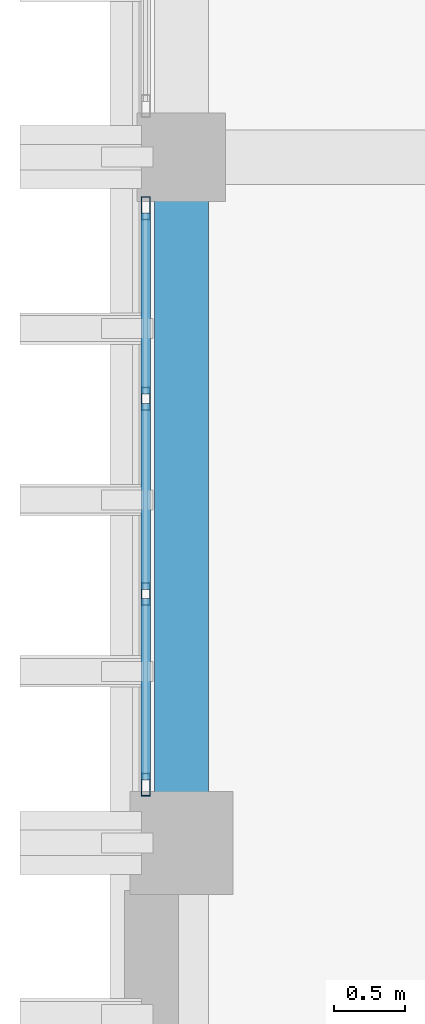
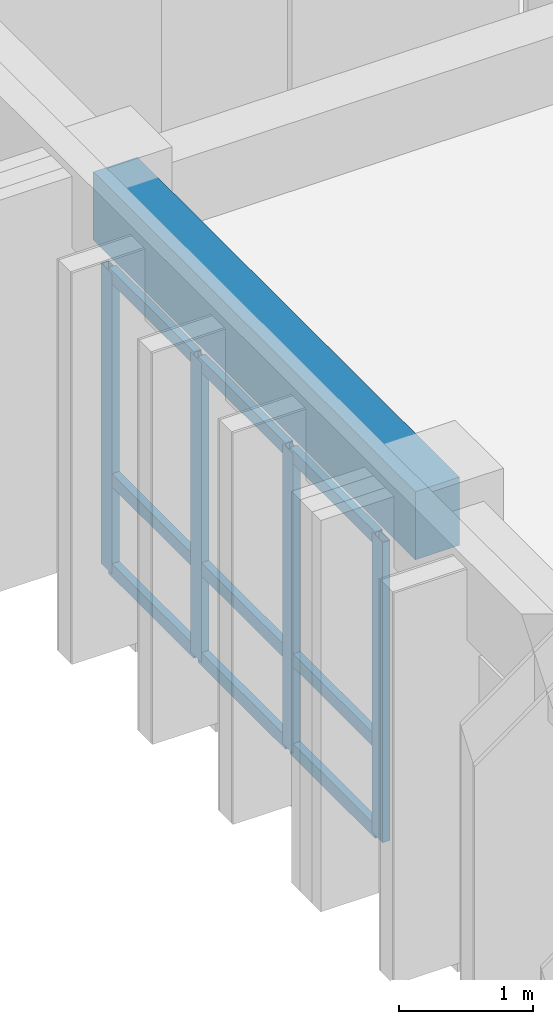
# One storey, part 20 of 59: 13 members, 1 beam, 1 element without a shape of its own.
"""IFC4 building model written with IfcOpenShell, lengths in metres."""

import ifcopenshell
import ifcopenshell.guid

model = None  # the IFC model being written
_history = None  # IfcOwnerHistory: only IFC2X3 demands one
_inside = {}  # id of a spatial element -> (the spatial element, [elements in it])
_under = {}  # id of a project, library or spatial element -> (it, [spatial elements below it])
_declared = {}  # id of a project -> (the project, [libraries it declares])
_typed = {}  # id of a type object -> (the type object, [elements of that type])
_made_of = {}  # id of a material, layer set ... -> (it, [elements and type objects made of it])


def new_model(schema):
    """Start an empty IFC model of exactly this schema.

    Asked for "IFC4X3", IfcOpenShell would pick the latest addendum, in which some entities
    have other attributes; the version numbers below select the first issue.
    IFC2X3 requires an IfcOwnerHistory on every rooted entity: one is made here for all.
    """
    global model, _history
    if schema == "IFC4X3":
        model = ifcopenshell.file(schema_version=(4, 3, 0, 0))
    else:
        model = ifcopenshell.file(schema=schema)
    _inside.clear()
    _under.clear()
    _declared.clear()
    _typed.clear()
    _made_of.clear()
    _history = None
    if model.schema == "IFC2X3":
        org = make("IfcOrganization", Name="unknown")
        user = make(
            "IfcPersonAndOrganization",
            ThePerson=make("IfcPerson", FamilyName="unknown"),
            TheOrganization=org,
        )
        app = make(
            "IfcApplication",
            ApplicationDeveloper=org,
            Version="unknown",
            ApplicationFullName="unknown",
            ApplicationIdentifier="unknown",
        )
        _history = make(
            "IfcOwnerHistory",
            OwningUser=user,
            OwningApplication=app,
            ChangeAction="ADDED",
            CreationDate=0,
        )
    return model


def make(cls, **values):
    """One entity of the class cls with the attributes given. An attribute that is None is left unset."""
    return model.create_entity(
        cls, **{name: value for name, value in values.items() if value is not None}
    )


def rooted(cls, **values):
    """An entity with a GlobalId (a new one), such as an element, a storey or a relation."""
    return make(cls, GlobalId=ifcopenshell.guid.new(), OwnerHistory=_history, **values)


def si_unit(unit_type, name, prefix=None):
    """IfcSIUnit, for example si_unit("LENGTHUNIT", "METRE", prefix="MILLI")."""
    return make("IfcSIUnit", UnitType=unit_type, Prefix=prefix, Name=name)


def assignment(units):
    """IfcUnitAssignment: the units of a project."""
    return None if units is None else make("IfcUnitAssignment", Units=units)


def point(xyz):
    """IfcCartesianPoint."""
    return None if xyz is None else make("IfcCartesianPoint", Coordinates=xyz)


def direction(xyz):
    """IfcDirection."""
    return None if xyz is None else make("IfcDirection", DirectionRatios=xyz)


def frame(location, z_axis=None, x_axis=None):
    """IfcAxis2Placement3D, a coordinate frame: its origin and axes. An axis left out is left unset."""
    return make(
        "IfcAxis2Placement3D",
        Location=point(location),
        Axis=direction(z_axis),
        RefDirection=direction(x_axis),
    )


def frame_2d(location, x_axis=None):
    """IfcAxis2Placement2D, a coordinate frame in the plane: its origin and x axis."""
    return make(
        "IfcAxis2Placement2D", Location=point(location), RefDirection=direction(x_axis)
    )


def origin():
    """The frame at (0, 0, 0) with its axes left unset."""
    return frame((0.0, 0.0, 0.0))


def origin_2d():
    """The frame at (0, 0) in the plane with its x axis left unset."""
    return frame_2d((0.0, 0.0))


def place(relative_to, where):
    """IfcLocalPlacement: puts the frame where relative to a parent placement (None: the world)."""
    return make(
        "IfcLocalPlacement", PlacementRelTo=relative_to, RelativePlacement=where
    )


def context(
    kind, dimensions, precision=None, world=None, true_north=None, identifier=None
):
    """IfcGeometricRepresentationContext, for example the 3D "Model" context."""
    return make(
        "IfcGeometricRepresentationContext",
        ContextIdentifier=identifier,
        ContextType=kind,
        CoordinateSpaceDimension=dimensions,
        Precision=precision,
        WorldCoordinateSystem=world,
        TrueNorth=true_north,
    )


def subcontext(parent, identifier, kind, view, scale=None):
    """IfcGeometricRepresentationSubContext, for example "Body" below "Model"."""
    return make(
        "IfcGeometricRepresentationSubContext",
        ContextIdentifier=identifier,
        ContextType=kind,
        ParentContext=parent,
        TargetScale=scale,
        TargetView=view,
    )


def project(units=None, contexts=None):
    """IfcProject with its units and contexts."""
    return rooted(
        "IfcProject",
        Name="project",
        RepresentationContexts=contexts,
        UnitsInContext=assignment(units),
    )


def spatial(cls, under=None, at=None, **own):
    """A site, building, storey or space (cls), placed at a placement, below another one or the project."""
    s = rooted(cls, ObjectPlacement=at, **own)
    if under is not None:
        _under.setdefault(under.id(), (under, []))[1].append(s)
    return s


def profile(cls, at=None, kind="AREA", **sizes):
    """A parametric profile (cls). Its sizes go by their IFC names, for example OverallWidth=200.0."""
    return make(cls, ProfileType=kind, Position=at, **sizes)


def rectangle(**sizes):
    """IfcRectangleProfileDef."""
    return profile("IfcRectangleProfileDef", **sizes)


def hollow_rectangle(**sizes):
    """IfcRectangleHollowProfileDef."""
    return profile("IfcRectangleHollowProfileDef", **sizes)


def extrude(swept, where, along, depth):
    """IfcExtrudedAreaSolid: the profile swept, set in the frame where, extruded along a direction by depth."""
    return make(
        "IfcExtrudedAreaSolid",
        SweptArea=swept,
        Position=where,
        ExtrudedDirection=direction(along),
        Depth=depth,
    )


def shape(context_of_items, identifier, shape_type, items):
    """IfcShapeRepresentation: the items that make up one representation, for example the "Body"."""
    return make(
        "IfcShapeRepresentation",
        ContextOfItems=context_of_items,
        RepresentationIdentifier=identifier,
        RepresentationType=shape_type,
        Items=items,
    )


def material(Name=None, Category=None):
    """IfcMaterial."""
    return make("IfcMaterial", Name=Name, Category=Category)


def layer(
    of_material, thickness, ventilated=None, Name=None, Category=None, Priority=None
):
    """IfcMaterialLayer: one layer of a wall or slab, of a material (None: an air gap)."""
    return make(
        "IfcMaterialLayer",
        Material=of_material,
        LayerThickness=thickness,
        IsVentilated=ventilated,
        Name=Name,
        Category=Category,
        Priority=Priority,
    )


def layer_set(layers, Name=None):
    """IfcMaterialLayerSet."""
    return make("IfcMaterialLayerSet", MaterialLayers=layers, LayerSetName=Name)


def material_profile(
    of_material, cross_section, Name=None, Category=None, Priority=None
):
    """IfcMaterialProfile: a cross section and its material."""
    return make(
        "IfcMaterialProfile",
        Name=Name,
        Material=of_material,
        Profile=cross_section,
        Priority=Priority,
        Category=Category,
    )


def profile_set(profiles, Name=None, composite=None):
    """IfcMaterialProfileSet."""
    return make(
        "IfcMaterialProfileSet",
        Name=Name,
        MaterialProfiles=profiles,
        CompositeProfile=composite,
    )


def made_of(thing, what):
    """Note that an element or type object is made of a material, layer set ...; save() writes the relation."""
    if what is not None:
        _made_of.setdefault(what.id(), (what, []))[1].append(thing)
    return thing


def type_object(cls, material=None, **own):
    """A type object (cls), such as IfcWallType, which elements share."""
    return made_of(rooted(cls, **own), material)


def element(
    cls,
    number,
    at=None,
    inside=None,
    cuts=None,
    type_object=None,
    material=None,
    context=None,
    identifier="Body",
    shape_type=None,
    held_by="IfcProductDefinitionShape",
    body=None,
    shapes=None,
    **own,
):
    """One element of the class cls, such as IfcWall. Its Tag is "e" and its number.

    at: its placement. inside: the storey or other place that contains it. cuts: it is an
    opening in that element (IfcRelVoidsElement). A single representation is given by context,
    identifier, shape_type and body (its items); several are given by shapes. held_by: the class
    of the entity that holds the representations. save() writes the other relations.
    """
    e = rooted(cls, Tag="e%d" % number, ObjectPlacement=at, **own)
    if body is not None:
        shapes = [shape(context, identifier, shape_type, body)]
    if shapes is not None:
        e.Representation = make(held_by, Representations=shapes)
    if inside is not None:
        _inside.setdefault(inside.id(), (inside, []))[1].append(e)
    if cuts is not None:
        rooted(
            "IfcRelVoidsElement", RelatingBuildingElement=cuts, RelatedOpeningElement=e
        )
    if type_object is not None:
        _typed.setdefault(type_object.id(), (type_object, []))[1].append(e)
    return made_of(e, material)


def aggregate(whole, parts):
    """IfcRelAggregates: a whole, such as a stair, and the parts it consists of."""
    return rooted("IfcRelAggregates", RelatingObject=whole, RelatedObjects=parts)


def save(model, path):
    """Write the relations noted so far, then the file.

    IfcRelAggregates (storeys below a building ...), IfcRelContainedInSpatialStructure (elements
    in a storey), IfcRelDefinesByType, IfcRelAssociatesMaterial and IfcRelDeclares: one each for
    every whole, place, type object, material and project.
    """
    for whole, parts in _under.values():
        aggregate(whole, parts)
    for where, things in _inside.values():
        rooted(
            "IfcRelContainedInSpatialStructure",
            RelatedElements=things,
            RelatingStructure=where,
        )
    for kind, things in _typed.values():
        rooted("IfcRelDefinesByType", RelatedObjects=things, RelatingType=kind)
    for what, things in _made_of.values():
        rooted("IfcRelAssociatesMaterial", RelatedObjects=things, RelatingMaterial=what)
    for by, libraries in _declared.values():
        rooted("IfcRelDeclares", RelatingContext=by, RelatedDefinitions=libraries)
    model.write(path)


model = new_model("IFC4")

# Units and contexts
model_context = context("Model", 3, precision=1e-05, world=origin(), true_north=direction((0.0, 1.0)))
body_context = subcontext(model_context, "Body", "Model", "MODEL_VIEW")
ifc_project = project(units=[si_unit("LENGTHUNIT", "METRE"), si_unit("AREAUNIT", "SQUARE_METRE"), si_unit("VOLUMEUNIT", "CUBIC_METRE"), si_unit("PLANEANGLEUNIT", "RADIAN"), si_unit("MASSUNIT", "GRAM", prefix="KILO")], contexts=[model_context])

# Site, building, storey
site_placement = place(None, origin())
site = spatial("IfcSite", under=ifc_project, at=site_placement, CompositionType="ELEMENT")
building_placement = place(site_placement, origin())
building = spatial("IfcBuilding", under=site, at=building_placement, Name="Nakhvara Creek Congress Hotel", CompositionType="ELEMENT")
storey_placement = place(building_placement, frame((0.0, 0.0, 31.800048828125)))
storey = spatial("IfcBuildingStorey", under=building, at=storey_placement, Name="L07", CompositionType="ELEMENT", Elevation=31.800048828125)

# Beam
ifc_material_1 = material(Name="Concrete C40/50", Category="concrete")
ifc_material_profile_1 = material_profile(ifc_material_1, rectangle(XDim=0.3798828125, YDim=0.6201171875, at=origin_2d()), Name="RC-BM 380x620", Category="LoadBearing")
ifc_profile_set_1 = profile_set([ifc_material_profile_1], Name="Concrete C40/50")
beam_type = type_object("IfcBeamType", Name="BM-RC-380X620", PredefinedType="BEAM", material=ifc_profile_set_1)
beam_placement = place(storey_placement, frame((149.449951171875, 86.39990234375, 3.050048828125), z_axis=(0.0, 1.0, 0.0), x_axis=(-1.0, 0.0, 0.0)))
element("IfcBeam", 1, at=beam_placement, inside=storey, type_object=beam_type, Name="Beam B10-L07-2330", PredefinedType="BEAM", context=body_context, shape_type="SweptSolid", body=[
    extrude(rectangle(XDim=0.3798828125, YDim=0.6201171875, at=origin_2d()), origin(), (0.0, 0.0, 1.0), 4.800048828125),
])

# Curtain wall, members
ifc_material_2 = material(Name="Bronze-anodised aluminium AW-6063-T6 and double-silver low-E glass", Category="aluminium")
ifc_layer = layer(ifc_material_2, 0.199951171875)
ifc_layer_set = layer_set([ifc_layer], Name="Bronze-anodised aluminium AW-6063-T6 and double-silver low-E glass")
curtain_wall_type = type_object("IfcCurtainWallType", Name="CW-HTL-UNIT", PredefinedType="USERDEFINED", material=ifc_layer_set)
curtain_wall_placement = place(storey_placement, origin())
curtain_wall = element("IfcCurtainWall", 2, at=curtain_wall_placement, inside=storey, type_object=curtain_wall_type, Name="Curtain Wall CW264", ObjectType="UNITISED", PredefinedType="USERDEFINED")
ifc_material_3 = material(Name="Bronze-anodised aluminium AW-6063-T6", Category="aluminium")
ifc_material_profile_2 = material_profile(ifc_material_3, hollow_rectangle(XDim=0.06494140625, YDim=0.159912109375, WallThickness=0.00390625, at=origin_2d()), Name="ALU-MULL 65x160x4", Category="LoadBearing")
ifc_profile_set_2 = profile_set([ifc_material_profile_2], Name="Bronze-anodised aluminium AW-6063-T6")
member_type_1 = type_object("IfcMemberType", Name="CW-MULL-160", PredefinedType="MULLION", material=ifc_profile_set_2)
member_1_placement = place(storey_placement, frame((149.199951171875, 86.8076171875, 0.0), z_axis=(0.0, 0.0, 1.0), x_axis=(-1.0, 0.0, 0.0)))
member_1 = element("IfcMember", 3, at=member_1_placement, type_object=member_type_1, Name="CW264 mullion 1", PredefinedType="MULLION", context=body_context, shape_type="SweptSolid", body=[
    extrude(hollow_rectangle(XDim=0.06494140625, YDim=0.159912109375, WallThickness=0.00390625, at=origin_2d()), origin(), (0.0, 0.0, 1.0), 2.73193359375),
])
member_2_placement = place(storey_placement, frame((149.199951171875, 88.1416015625, 0.0), z_axis=(0.0, 0.0, 1.0), x_axis=(-1.0, 0.0, 0.0)))
member_2 = element("IfcMember", 4, at=member_2_placement, type_object=member_type_1, Name="CW264 mullion 2", PredefinedType="MULLION", context=body_context, shape_type="SweptSolid", body=[
    extrude(hollow_rectangle(XDim=0.06494140625, YDim=0.159912109375, WallThickness=0.00390625, at=origin_2d()), origin(), (0.0, 0.0, 1.0), 2.73193359375),
])
member_3_placement = place(storey_placement, frame((149.199951171875, 89.50830078125, 0.0), z_axis=(0.0, 0.0, 1.0), x_axis=(-1.0, 0.0, 0.0)))
member_3 = element("IfcMember", 5, at=member_3_placement, type_object=member_type_1, Name="CW264 mullion 3", PredefinedType="MULLION", context=body_context, shape_type="SweptSolid", body=[
    extrude(hollow_rectangle(XDim=0.06494140625, YDim=0.159912109375, WallThickness=0.00390625, at=origin_2d()), origin(), (0.0, 0.0, 1.0), 2.73193359375),
])
member_4_placement = place(storey_placement, frame((149.199951171875, 90.842529296875, 0.0), z_axis=(0.0, 0.0, 1.0), x_axis=(-1.0, 0.0, 0.0)))
member_4 = element("IfcMember", 6, at=member_4_placement, type_object=member_type_1, Name="CW264 mullion 4", PredefinedType="MULLION", context=body_context, shape_type="SweptSolid", body=[
    extrude(hollow_rectangle(XDim=0.06494140625, YDim=0.159912109375, WallThickness=0.00390625, at=origin_2d()), origin(), (0.0, 0.0, 1.0), 2.73193359375),
])
ifc_material_profile_3 = material_profile(ifc_material_3, hollow_rectangle(XDim=0.06494140625, YDim=0.1201171875, WallThickness=0.00390625, at=origin_2d()), Name="ALU-TRAN 65x120x4", Category="LoadBearing")
ifc_profile_set_3 = profile_set([ifc_material_profile_3], Name="Bronze-anodised aluminium AW-6063-T6")
member_type_2 = type_object("IfcMemberType", Name="CW-TRAN-120", PredefinedType="USERDEFINED", material=ifc_profile_set_3)
member_5_placement = place(storey_placement, frame((149.199951171875, 86.840087890625, 0.032470703125), z_axis=(0.0, 1.0, 0.0), x_axis=(-1.0, 0.0, 0.0)))
member_5 = element("IfcMember", 7, at=member_5_placement, type_object=member_type_2, Name="CW264 transom 1.1", ObjectType="TRANSOM", PredefinedType="USERDEFINED", context=body_context, shape_type="SweptSolid", body=[
    extrude(hollow_rectangle(XDim=0.06494140625, YDim=0.1201171875, WallThickness=0.00390625, at=origin_2d()), origin(), (0.0, 0.0, 1.0), 1.26904296875),
])
member_6_placement = place(storey_placement, frame((149.199951171875, 86.840087890625, 0.849853515625), z_axis=(0.0, 1.0, 0.0), x_axis=(-1.0, 0.0, 0.0)))
member_6 = element("IfcMember", 8, at=member_6_placement, type_object=member_type_2, Name="CW264 transom 1.2", ObjectType="TRANSOM", PredefinedType="USERDEFINED", context=body_context, shape_type="SweptSolid", body=[
    extrude(hollow_rectangle(XDim=0.06494140625, YDim=0.1201171875, WallThickness=0.00390625, at=origin_2d()), origin(), (0.0, 0.0, 1.0), 1.26904296875),
])
member_7_placement = place(storey_placement, frame((149.199951171875, 86.840087890625, 2.699462890625), z_axis=(0.0, 1.0, 0.0), x_axis=(-1.0, 0.0, 0.0)))
member_7 = element("IfcMember", 9, at=member_7_placement, type_object=member_type_2, Name="CW264 transom 1.3", ObjectType="TRANSOM", PredefinedType="USERDEFINED", context=body_context, shape_type="SweptSolid", body=[
    extrude(hollow_rectangle(XDim=0.06494140625, YDim=0.1201171875, WallThickness=0.00390625, at=origin_2d()), origin(), (0.0, 0.0, 1.0), 1.26904296875),
])
member_8_placement = place(storey_placement, frame((149.199951171875, 88.174072265625, 0.032470703125), z_axis=(0.0, 1.0, 0.0), x_axis=(-1.0, 0.0, 0.0)))
member_8 = element("IfcMember", 10, at=member_8_placement, type_object=member_type_2, Name="CW264 transom 2.1", ObjectType="TRANSOM", PredefinedType="USERDEFINED", context=body_context, shape_type="SweptSolid", body=[
    extrude(hollow_rectangle(XDim=0.06494140625, YDim=0.1201171875, WallThickness=0.00390625, at=origin_2d()), origin(), (0.0, 0.0, 1.0), 1.3017578125),
])
member_9_placement = place(storey_placement, frame((149.199951171875, 88.174072265625, 0.849853515625), z_axis=(0.0, 1.0, 0.0), x_axis=(-1.0, 0.0, 0.0)))
member_9 = element("IfcMember", 11, at=member_9_placement, type_object=member_type_2, Name="CW264 transom 2.2", ObjectType="TRANSOM", PredefinedType="USERDEFINED", context=body_context, shape_type="SweptSolid", body=[
    extrude(hollow_rectangle(XDim=0.06494140625, YDim=0.1201171875, WallThickness=0.00390625, at=origin_2d()), origin(), (0.0, 0.0, 1.0), 1.3017578125),
])
member_10_placement = place(storey_placement, frame((149.199951171875, 88.174072265625, 2.699462890625), z_axis=(0.0, 1.0, 0.0), x_axis=(-1.0, 0.0, 0.0)))
member_10 = element("IfcMember", 12, at=member_10_placement, type_object=member_type_2, Name="CW264 transom 2.3", ObjectType="TRANSOM", PredefinedType="USERDEFINED", context=body_context, shape_type="SweptSolid", body=[
    extrude(hollow_rectangle(XDim=0.06494140625, YDim=0.1201171875, WallThickness=0.00390625, at=origin_2d()), origin(), (0.0, 0.0, 1.0), 1.3017578125),
])
member_11_placement = place(storey_placement, frame((149.199951171875, 89.540771484375, 0.032470703125), z_axis=(0.0, 1.0, 0.0), x_axis=(-1.0, 0.0, 0.0)))
member_11 = element("IfcMember", 13, at=member_11_placement, type_object=member_type_2, Name="CW264 transom 3.1", ObjectType="TRANSOM", PredefinedType="USERDEFINED", context=body_context, shape_type="SweptSolid", body=[
    extrude(hollow_rectangle(XDim=0.06494140625, YDim=0.1201171875, WallThickness=0.00390625, at=origin_2d()), origin(), (0.0, 0.0, 1.0), 1.269287109375),
])
member_12_placement = place(storey_placement, frame((149.199951171875, 89.540771484375, 0.849853515625), z_axis=(0.0, 1.0, 0.0), x_axis=(-1.0, 0.0, 0.0)))
member_12 = element("IfcMember", 14, at=member_12_placement, type_object=member_type_2, Name="CW264 transom 3.2", ObjectType="TRANSOM", PredefinedType="USERDEFINED", context=body_context, shape_type="SweptSolid", body=[
    extrude(hollow_rectangle(XDim=0.06494140625, YDim=0.1201171875, WallThickness=0.00390625, at=origin_2d()), origin(), (0.0, 0.0, 1.0), 1.269287109375),
])
member_13_placement = place(storey_placement, frame((149.199951171875, 89.540771484375, 2.699462890625), z_axis=(0.0, 1.0, 0.0), x_axis=(-1.0, 0.0, 0.0)))
member_13 = element("IfcMember", 15, at=member_13_placement, type_object=member_type_2, Name="CW264 transom 3.3", ObjectType="TRANSOM", PredefinedType="USERDEFINED", context=body_context, shape_type="SweptSolid", body=[
    extrude(hollow_rectangle(XDim=0.06494140625, YDim=0.1201171875, WallThickness=0.00390625, at=origin_2d()), origin(), (0.0, 0.0, 1.0), 1.269287109375),
])
aggregate(curtain_wall, [member_1, member_2, member_3, member_4, member_5, member_6, member_7, member_8, member_9, member_10, member_11, member_12, member_13])

save(model, "model.ifc")
